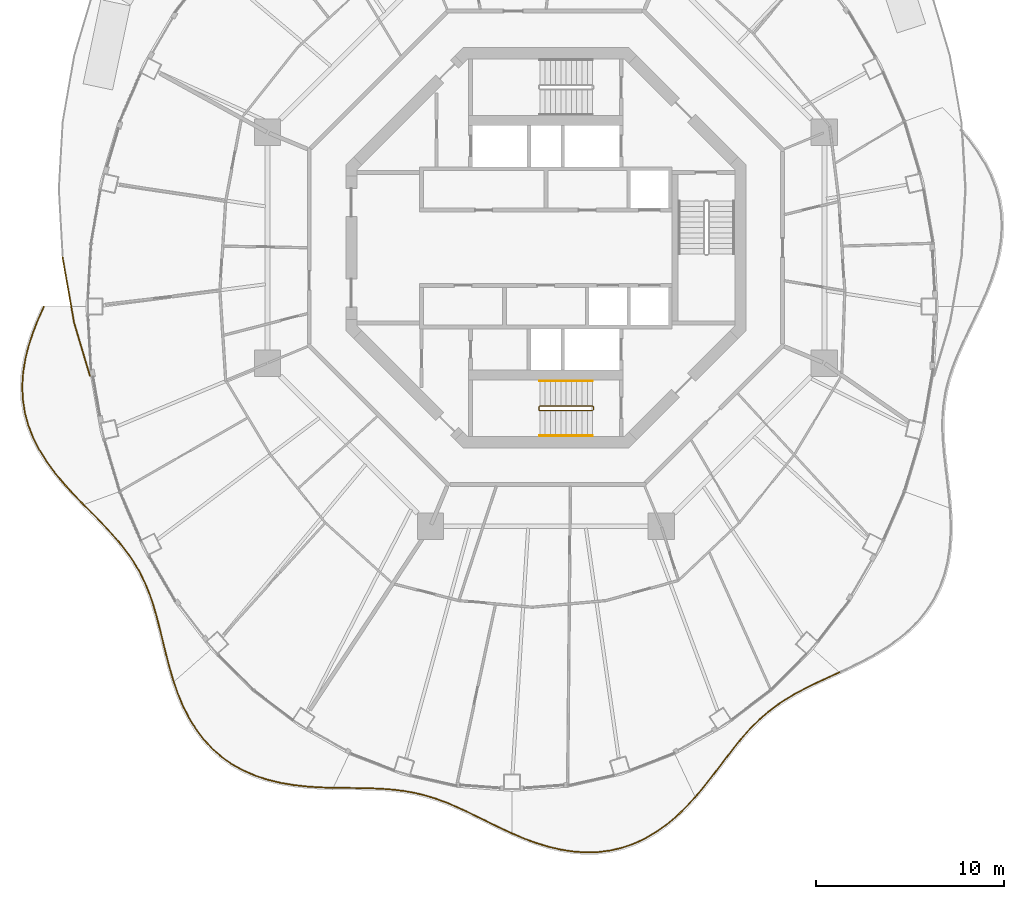
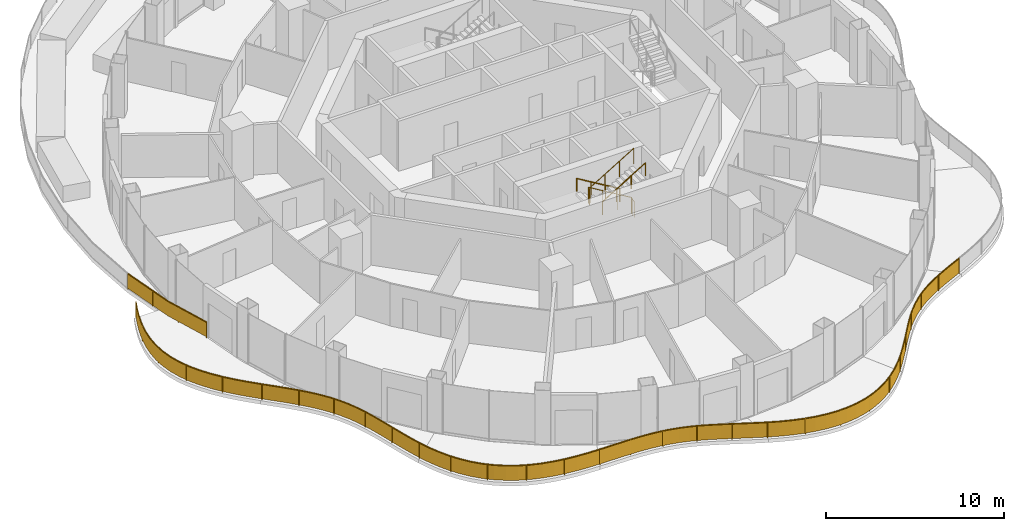
# One storey, part 15 of 17: 10 railings.
"""IFC4 building model written with IfcOpenShell, lengths in metres."""

from ifc_helpers import new_model, si_unit, direction, frame, origin, origin_2d, place, context, subcontext, project, spatial, polyline, rectangle, circle, outline, extrude, material, type_object, element, save


model = new_model("IFC4")

# Units and contexts
model_context = context("Model", 3, precision=1e-05, world=origin(), true_north=direction((0.0, 1.0)))
body_context = subcontext(model_context, "Body", "Model", "MODEL_VIEW")
ifc_project = project(units=[si_unit("LENGTHUNIT", "METRE"), si_unit("AREAUNIT", "SQUARE_METRE"), si_unit("VOLUMEUNIT", "CUBIC_METRE"), si_unit("PLANEANGLEUNIT", "RADIAN"), si_unit("MASSUNIT", "GRAM", prefix="KILO")], contexts=[model_context])

# Site, building, storey
site_placement = place(None, origin())
site = spatial("IfcSite", under=ifc_project, at=site_placement, CompositionType="ELEMENT")
building_placement = place(site_placement, origin())
building = spatial("IfcBuilding", under=site, at=building_placement, Name="Nagisa Residences", CompositionType="ELEMENT")
storey_placement = place(building_placement, frame((0.0, 0.0, 258.5)))
storey = spatial("IfcBuildingStorey", under=building, at=storey_placement, Name="L65", CompositionType="ELEMENT", Elevation=258.5)

# Railings
ifc_material_1 = material(Name="Stainless steel 316", Category="steel")
railing_type_1 = type_object("IfcRailingType", Name="BALCONY GUARD 1100", PredefinedType="BALUSTRADE", material=ifc_material_1)
railing_1_placement = place(storey_placement, frame((-26.64990234375, -3.11767578125, 0.0)))
element("IfcRailing", 1, at=railing_1_placement, inside=storey, type_object=railing_type_1, Name="guard:L65:bal08-0", PredefinedType="BALUSTRADE", context=body_context, shape_type="SweptSolid", body=[
    extrude(outline(polyline([(-0.279052734375, -0.68798828125), (0.02294921875, -0.01025390625), (-0.02294921875, 0.01025390625), (-0.325439453125, -0.66845703125), (-0.59912109375, -1.3671875), (-0.832275390625, -2.076904296875), (-1.011474609375, -2.7939453125), (-1.1279296875, -3.515380859375), (-1.174560546875, -4.22265625), (-1.14306640625, -4.9384765625), (-1.032470703125, -5.644287109375), (-0.84326171875, -6.3349609375), (-0.578857421875, -7.00732421875), (-0.2490234375, -7.644287109375), (0.14453125, -8.27099609375), (0.588134765625, -8.873046875), (1.069580078125, -9.451171875), (1.575439453125, -10.007568359375), (2.0908203125, -10.53857421875), (2.126953125, -10.50390625), (1.612060546875, -9.973388671875), (1.107177734375, -9.41845703125), (0.627685546875, -8.84228515625), (0.18603515625, -8.24267578125), (-0.20556640625, -7.619384765625), (-0.533447265625, -6.98681640625), (-0.7958984375, -6.3193359375), (-0.983642578125, -5.633544921875), (-1.09326171875, -4.93359375), (-1.124267578125, -4.22314453125), (-1.078125, -3.521240234375), (-0.962646484375, -2.80419921875), (-0.783935546875, -2.090576171875), (-0.55224609375, -1.38427734375), (-0.279052734375, -0.68798828125)])), frame((0.0, 0.0, 1.050048828125)), (0.0, 0.0, 1.0), 0.050048828125),
    extrude(outline(polyline([(-0.2958984375, -0.680908203125), (0.00634765625, -0.0029296875), (-0.00634765625, 0.0029296875), (-0.30859375, -0.675537109375), (-0.582275390625, -1.373291015625), (-0.81494140625, -2.081787109375), (-0.993896484375, -2.797607421875), (-1.110107421875, -3.517578125), (-1.156494140625, -4.222900390625), (-1.125244140625, -4.936767578125), (-1.014892578125, -5.640380859375), (-0.826171875, -6.329345703125), (-0.5625, -7.0), (-0.2333984375, -7.63525390625), (0.159423828125, -8.2607421875), (0.602294921875, -8.862060546875), (1.0830078125, -9.439453125), (1.588623046875, -9.995361328125), (2.103759765625, -10.526123046875), (2.114013671875, -10.516357421875), (1.598876953125, -9.985595703125), (1.09375, -9.43017578125), (0.613525390625, -8.853271484375), (0.171142578125, -8.2529296875), (-0.22119140625, -7.62841796875), (-0.5498046875, -6.994140625), (-0.81298828125, -6.324951171875), (-1.001220703125, -5.637451171875), (-1.111083984375, -4.935302734375), (-1.142333984375, -4.222900390625), (-1.095947265625, -3.51904296875), (-0.980224609375, -2.800537109375), (-0.80126953125, -2.085693359375), (-0.569091796875, -1.378173828125), (-0.2958984375, -0.680908203125)])), frame((0.0, 0.0, 0.06005859375)), (0.0, 0.0, 1.0), 0.989990234375),
    extrude(rectangle(XDim=0.0400390625, YDim=0.0400390625, at=origin_2d()), origin(), (0.0, 0.0, 1.0), 1.050048828125),
    extrude(rectangle(XDim=0.0400390625, YDim=0.0400390625, at=origin_2d()), frame((-0.83349609375, -2.185302734375, 0.0)), (0.0, 0.0, 1.0), 1.050048828125),
    extrude(rectangle(XDim=0.0400390625, YDim=0.0400390625, at=origin_2d()), frame((-1.137451171875, -4.4970703125, 0.0)), (0.0, 0.0, 1.0), 1.050048828125),
    extrude(rectangle(XDim=0.0400390625, YDim=0.0400390625, at=origin_2d()), frame((-0.644775390625, -6.771484375, 0.0)), (0.0, 0.0, 1.0), 1.050048828125),
    extrude(rectangle(XDim=0.0400390625, YDim=0.0400390625, at=origin_2d()), frame((0.548583984375, -8.777099609375, 0.0)), (0.0, 0.0, 1.0), 1.050048828125),
    extrude(rectangle(XDim=0.0400390625, YDim=0.0400390625, at=origin_2d()), frame((2.10888671875, -10.521240234375, 0.0)), (0.0, 0.0, 1.0), 1.050048828125),
])
railing_2_placement = place(storey_placement, frame((-24.541015625, -13.638916015625, 0.0)))
element("IfcRailing", 2, at=railing_2_placement, inside=storey, type_object=railing_type_1, Name="guard:L65:bal09-0", PredefinedType="BALUSTRADE", context=body_context, shape_type="SweptSolid", body=[
    extrude(outline(polyline([(0.515380859375, -0.483154296875), (0.017822265625, 0.017578125), (-0.017822265625, -0.017578125), (0.479736328125, -0.518310546875), (0.9677734375, -1.017333984375), (1.433837890625, -1.513427734375), (1.869873046875, -2.01220703125), (2.27001953125, -2.519287109375), (2.62353515625, -3.027099609375), (2.94287109375, -3.567138671875), (3.22216796875, -4.12939453125), (3.464599609375, -4.71728515625), (3.676025390625, -5.33154296875), (3.855224609375, -5.959228515625), (4.02783203125, -6.62353515625), (4.1943359375, -7.3076171875), (4.3662109375, -8.006103515625), (4.552978515625, -8.71240234375), (4.76025390625, -9.4111328125), (4.80810546875, -9.39697265625), (4.601318359375, -8.69873046875), (4.41455078125, -7.993896484375), (4.2431640625, -7.2958984375), (4.076171875, -6.611328125), (3.903564453125, -5.946044921875), (3.723876953125, -5.31640625), (3.511474609375, -4.69970703125), (3.267578125, -4.10888671875), (2.98681640625, -3.543212890625), (2.66552734375, -3.000244140625), (2.31005859375, -2.489501953125), (1.908447265625, -1.97998046875), (1.470947265625, -1.479736328125), (1.00390625, -0.982666015625), (0.515380859375, -0.483154296875)])), frame((0.0, 0.0, 1.050048828125)), (0.0, 0.0, 1.0), 0.050048828125),
    extrude(outline(polyline([(0.50244140625, -0.495849609375), (0.0048828125, 0.0048828125), (-0.0048828125, -0.0048828125), (0.49267578125, -0.505615234375), (0.980712890625, -1.0048828125), (1.447265625, -1.501220703125), (1.8837890625, -2.00048828125), (2.284423828125, -2.508544921875), (2.638671875, -3.017578125), (2.958740234375, -3.55859375), (3.238525390625, -4.1220703125), (3.4814453125, -4.7109375), (3.693359375, -5.326171875), (3.87255859375, -5.95458984375), (4.045166015625, -6.619140625), (4.2119140625, -7.303466796875), (4.383544921875, -8.001708984375), (4.5703125, -8.70751953125), (4.777587890625, -9.406005859375), (4.790771484375, -9.402099609375), (4.583984375, -8.70361328125), (4.397216796875, -7.998291015625), (4.2255859375, -7.300048828125), (4.058837890625, -6.61572265625), (3.88623046875, -5.95068359375), (3.70654296875, -5.32177734375), (3.49462890625, -4.7060546875), (3.251220703125, -4.1162109375), (2.970947265625, -3.5517578125), (2.650390625, -3.009765625), (2.295654296875, -2.500244140625), (1.89453125, -1.99169921875), (1.45751953125, -1.491943359375), (0.990966796875, -0.9951171875), (0.50244140625, -0.495849609375)])), frame((0.0, 0.0, 0.06005859375)), (0.0, 0.0, 1.0), 0.989990234375),
    extrude(rectangle(XDim=0.0400390625, YDim=0.0400390625, at=origin_2d()), origin(), (0.0, 0.0, 1.0), 1.050048828125),
    extrude(rectangle(XDim=0.0400390625, YDim=0.0400390625, at=origin_2d()), frame((1.49951171875, -1.550537109375, 0.0)), (0.0, 0.0, 1.0), 1.050048828125),
    extrude(rectangle(XDim=0.0400390625, YDim=0.0400390625, at=origin_2d()), frame((2.796142578125, -3.269775390625, 0.0)), (0.0, 0.0, 1.0), 1.050048828125),
    extrude(rectangle(XDim=0.0400390625, YDim=0.0400390625, at=origin_2d()), frame((3.669921875, -5.23681640625, 0.0)), (0.0, 0.0, 1.0), 1.050048828125),
    extrude(rectangle(XDim=0.0400390625, YDim=0.0400390625, at=origin_2d()), frame((4.2236328125, -7.3212890625, 0.0)), (0.0, 0.0, 1.0), 1.050048828125),
    extrude(rectangle(XDim=0.0400390625, YDim=0.0400390625, at=origin_2d()), frame((4.7841796875, -9.404052734375, 0.0)), (0.0, 0.0, 1.0), 1.050048828125),
])
railing_3_placement = place(storey_placement, frame((-19.7568359375, -23.04296875, 0.0)))
element("IfcRailing", 3, at=railing_3_placement, inside=storey, type_object=railing_type_1, Name="guard:L65:bal10-0", PredefinedType="BALUSTRADE", context=body_context, shape_type="SweptSolid", body=[
    extrude(outline(polyline([(0.251708984375, -0.6474609375), (0.023681640625, 0.00830078125), (-0.023681640625, -0.00830078125), (0.204833984375, -0.66552734375), (0.47705078125, -1.312255859375), (0.79296875, -1.93359375), (1.15576171875, -2.521728515625), (1.56884765625, -3.069091796875), (2.01953125, -3.55859375), (2.531494140625, -4.0068359375), (3.0888671875, -4.3984375), (3.687744140625, -4.732177734375), (4.322265625, -5.007568359375), (4.97412109375, -5.21875), (5.6572265625, -5.3837890625), (6.357421875, -5.503173828125), (7.064453125, -5.581787109375), (7.77197265625, -5.628662109375), (8.46630859375, -5.648681640625), (8.4677734375, -5.598876953125), (7.7744140625, -5.578857421875), (7.06884765625, -5.531982421875), (6.3642578125, -5.453369140625), (5.66748046875, -5.3349609375), (4.98779296875, -5.17041015625), (4.33984375, -4.960693359375), (3.709716796875, -4.687255859375), (3.11572265625, -4.35595703125), (2.562255859375, -3.96728515625), (2.0546875, -3.52294921875), (1.607421875, -3.036865234375), (1.197265625, -2.493408203125), (0.83642578125, -1.9091796875), (0.5224609375, -1.291259765625), (0.251708984375, -0.6474609375)])), frame((0.0, 0.0, 1.050048828125)), (0.0, 0.0, 1.0), 0.050048828125),
    extrude(outline(polyline([(0.23486328125, -0.654052734375), (0.006591796875, 0.002197265625), (-0.006591796875, -0.002197265625), (0.2216796875, -0.658935546875), (0.493408203125, -1.3046875), (0.80859375, -1.9248046875), (1.170654296875, -2.511474609375), (1.582763671875, -3.057373046875), (2.0322265625, -3.5458984375), (2.54248046875, -3.99267578125), (3.0986328125, -4.383056640625), (3.695556640625, -4.716064453125), (4.32861328125, -4.99072265625), (4.97900390625, -5.201416015625), (5.660888671875, -5.3662109375), (6.35986328125, -5.485107421875), (7.06591796875, -5.56396484375), (7.77294921875, -5.61083984375), (8.466796875, -5.630859375), (8.46728515625, -5.61669921875), (7.7734375, -5.5966796875), (7.0673828125, -5.5498046875), (6.36181640625, -5.471435546875), (5.663818359375, -5.3525390625), (4.98291015625, -5.187744140625), (4.33349609375, -4.9775390625), (3.701904296875, -4.703369140625), (3.10595703125, -4.371337890625), (2.55126953125, -3.9814453125), (2.0419921875, -3.53564453125), (1.593505859375, -3.048583984375), (1.182373046875, -2.503662109375), (0.82080078125, -1.91796875), (0.506103515625, -1.298828125), (0.23486328125, -0.654052734375)])), frame((0.0, 0.0, 0.06005859375)), (0.0, 0.0, 1.0), 0.989990234375),
    extrude(rectangle(XDim=0.0400390625, YDim=0.0400390625, at=origin_2d()), origin(), (0.0, 0.0, 1.0), 1.050048828125),
    extrude(rectangle(XDim=0.0400390625, YDim=0.0400390625, at=origin_2d()), frame((0.878662109375, -2.02490234375, 0.0)), (0.0, 0.0, 1.0), 1.050048828125),
    extrude(rectangle(XDim=0.0400390625, YDim=0.0400390625, at=origin_2d()), frame((2.261474609375, -3.7373046875, 0.0)), (0.0, 0.0, 1.0), 1.050048828125),
    extrude(rectangle(XDim=0.0400390625, YDim=0.0400390625, at=origin_2d()), frame((4.130615234375, -4.897216796875, 0.0)), (0.0, 0.0, 1.0), 1.050048828125),
    extrude(rectangle(XDim=0.0400390625, YDim=0.0400390625, at=origin_2d()), frame((6.262939453125, -5.461669921875, 0.0)), (0.0, 0.0, 1.0), 1.050048828125),
    extrude(rectangle(XDim=0.0400390625, YDim=0.0400390625, at=origin_2d()), frame((8.467041015625, -5.623779296875, 0.0)), (0.0, 0.0, 1.0), 1.050048828125),
])
railing_4_placement = place(storey_placement, frame((-11.289794921875, -28.666748046875, 0.0)))
element("IfcRailing", 4, at=railing_4_placement, inside=storey, type_object=railing_type_1, Name="guard:L65:bal11-0", PredefinedType="BALUSTRADE", context=body_context, shape_type="SweptSolid", body=[
    extrude(outline(polyline([(0.658447265625, 0.017578125), (0.000244140625, 0.02490234375), (-0.000244140625, -0.02490234375), (0.657958984375, -0.0322265625), (1.310546875, -0.039794921875), (1.947998046875, -0.052490234375), (2.568115234375, -0.07861328125), (3.171875, -0.125244140625), (3.7431640625, -0.19287109375), (4.318115234375, -0.29638671875), (4.88330078125, -0.43310546875), (5.44189453125, -0.60400390625), (5.998779296875, -0.807861328125), (6.540283203125, -1.03955078125), (7.10546875, -1.29931640625), (7.6806640625, -1.57763671875), (8.268310546875, -1.867431640625), (8.870361328125, -2.15966796875), (9.479248046875, -2.443603515625), (9.500244140625, -2.398193359375), (8.891845703125, -2.1142578125), (8.290283203125, -1.822509765625), (7.70263671875, -1.53271484375), (7.126953125, -1.25390625), (6.560791015625, -0.99365234375), (6.017333984375, -0.761474609375), (5.4580078125, -0.556640625), (4.896484375, -0.384765625), (4.328369140625, -0.24755859375), (3.75048828125, -0.1435546875), (3.1767578125, -0.075439453125), (2.571044921875, -0.02880859375), (1.949462890625, -0.002685546875), (1.3115234375, 0.010009765625), (0.658447265625, 0.017578125)])), frame((0.0, 0.0, 1.050048828125)), (0.0, 0.0, 1.0), 0.050048828125),
    extrude(outline(polyline([(0.658203125, -0.000244140625), (0.0, 0.007080078125), (0.0, -0.007080078125), (0.658203125, -0.014404296875), (1.31103515625, -0.02197265625), (1.948486328125, -0.03466796875), (2.569091796875, -0.060791015625), (3.173583984375, -0.107421875), (3.745849609375, -0.175048828125), (4.32177734375, -0.27880859375), (4.887939453125, -0.415771484375), (5.44775390625, -0.5869140625), (6.00537109375, -0.791259765625), (6.547607421875, -1.02294921875), (7.11328125, -1.282958984375), (7.6884765625, -1.5615234375), (8.276123046875, -1.851318359375), (8.878173828125, -2.143310546875), (9.48681640625, -2.42724609375), (9.49267578125, -2.41455078125), (8.884033203125, -2.130615234375), (8.282470703125, -1.838623046875), (7.69482421875, -1.548828125), (7.119140625, -1.270263671875), (6.553466796875, -1.01025390625), (6.0107421875, -0.778076171875), (5.4521484375, -0.57373046875), (4.891845703125, -0.402099609375), (4.32470703125, -0.26513671875), (3.747802734375, -0.161376953125), (3.175048828125, -0.09326171875), (2.570068359375, -0.046630859375), (1.948974609375, -0.0205078125), (1.31103515625, -0.0078125), (0.658203125, -0.000244140625)])), frame((0.0, 0.0, 0.06005859375)), (0.0, 0.0, 1.0), 0.989990234375),
    extrude(rectangle(XDim=0.0400390625, YDim=0.0400390625, at=origin_2d()), origin(), (0.0, 0.0, 1.0), 1.050048828125),
    extrude(rectangle(XDim=0.0400390625, YDim=0.0400390625, at=origin_2d()), frame((1.98974609375, -0.029296875, 0.0)), (0.0, 0.0, 1.0), 1.050048828125),
    extrude(rectangle(XDim=0.0400390625, YDim=0.0400390625, at=origin_2d()), frame((3.9697265625, -0.208251953125, 0.0)), (0.0, 0.0, 1.0), 1.050048828125),
    extrude(rectangle(XDim=0.0400390625, YDim=0.0400390625, at=origin_2d()), frame((5.8837890625, -0.7392578125, 0.0)), (0.0, 0.0, 1.0), 1.050048828125),
    extrude(rectangle(XDim=0.0400390625, YDim=0.0400390625, at=origin_2d()), frame((7.69677734375, -1.557861328125, 0.0)), (0.0, 0.0, 1.0), 1.050048828125),
    extrude(rectangle(XDim=0.0400390625, YDim=0.0400390625, at=origin_2d()), frame((9.48974609375, -2.4208984375, 0.0)), (0.0, 0.0, 1.0), 1.050048828125),
])
railing_5_placement = place(storey_placement, frame((-1.800048828125, -31.087646484375, 0.0)))
element("IfcRailing", 5, at=railing_5_placement, inside=storey, type_object=railing_type_1, Name="guard:L65:bal12-0", PredefinedType="BALUSTRADE", context=body_context, shape_type="SweptSolid", body=[
    extrude(outline(polyline([(0.63330078125, -0.243896484375), (0.009765625, 0.02294921875), (-0.009765625, -0.02294921875), (0.61474609375, -0.290283203125), (1.263427734375, -0.530029296875), (1.9248046875, -0.732421875), (2.595458984375, -0.888916015625), (3.269287109375, -0.99169921875), (3.930908203125, -1.036865234375), (4.604248046875, -1.0146484375), (5.267578125, -0.925537109375), (5.916748046875, -0.76806640625), (6.546630859375, -0.544189453125), (7.137451171875, -0.26123046875), (7.717041015625, 0.084716796875), (8.26904296875, 0.483154296875), (8.79150390625, 0.92626953125), (9.28515625, 1.4052734375), (9.742919921875, 1.90673828125), (9.705810546875, 1.9404296875), (9.2490234375, 1.43994140625), (8.7578125, 0.96337890625), (8.23828125, 0.522705078125), (7.689697265625, 0.126708984375), (7.113525390625, -0.21728515625), (6.527587890625, -0.497802734375), (5.902587890625, -0.72021484375), (5.25830078125, -0.876220703125), (4.599853515625, -0.96484375), (3.931884765625, -0.986572265625), (3.274658203125, -0.94189453125), (2.604736328125, -0.839599609375), (1.93798828125, -0.68408203125), (1.279541015625, -0.482666015625), (0.63330078125, -0.243896484375)])), frame((0.0, 0.0, 1.050048828125)), (0.0, 0.0, 1.0), 0.050048828125),
    extrude(outline(polyline([(0.626708984375, -0.260498046875), (0.002685546875, 0.00634765625), (-0.002685546875, -0.00634765625), (0.621337890625, -0.273681640625), (1.269287109375, -0.512939453125), (1.9296875, -0.715087890625), (2.598876953125, -0.87109375), (3.271240234375, -0.973876953125), (3.93115234375, -1.018798828125), (4.6025390625, -0.996826171875), (5.26416015625, -0.90771484375), (5.91162109375, -0.7509765625), (6.539794921875, -0.527587890625), (7.12890625, -0.245361328125), (7.707275390625, 0.099853515625), (8.258056640625, 0.497314453125), (8.779296875, 0.939697265625), (9.272216796875, 1.417724609375), (9.7294921875, 1.9189453125), (9.71923828125, 1.92822265625), (9.261962890625, 1.427490234375), (8.77001953125, 0.949951171875), (8.249267578125, 0.508544921875), (7.699462890625, 0.111572265625), (7.1220703125, -0.233154296875), (6.534423828125, -0.514404296875), (5.90771484375, -0.7373046875), (5.26171875, -0.89404296875), (4.6015625, -0.982666015625), (3.931640625, -1.004638671875), (3.272705078125, -0.959716796875), (2.601318359375, -0.857421875), (1.93310546875, -0.701416015625), (1.273681640625, -0.499755859375), (0.626708984375, -0.260498046875)])), frame((0.0, 0.0, 0.06005859375)), (0.0, 0.0, 1.0), 0.989990234375),
    extrude(rectangle(XDim=0.0400390625, YDim=0.0400390625, at=origin_2d()), origin(), (0.0, 0.0, 1.0), 1.050048828125),
    extrude(rectangle(XDim=0.0400390625, YDim=0.0400390625, at=origin_2d()), frame((2.031005859375, -0.7314453125, 0.0)), (0.0, 0.0, 1.0), 1.050048828125),
    extrude(rectangle(XDim=0.0400390625, YDim=0.0400390625, at=origin_2d()), frame((4.167724609375, -1.00390625, 0.0)), (0.0, 0.0, 1.0), 1.050048828125),
    extrude(rectangle(XDim=0.0400390625, YDim=0.0400390625, at=origin_2d()), frame((6.281494140625, -0.61181640625, 0.0)), (0.0, 0.0, 1.0), 1.050048828125),
    extrude(rectangle(XDim=0.0400390625, YDim=0.0400390625, at=origin_2d()), frame((8.161376953125, 0.436279296875, 0.0)), (0.0, 0.0, 1.0), 1.050048828125),
    extrude(rectangle(XDim=0.0400390625, YDim=0.0400390625, at=origin_2d()), frame((9.724365234375, 1.923583984375, 0.0)), (0.0, 0.0, 1.0), 1.050048828125),
])
railing_6_placement = place(storey_placement, frame((7.92431640625, -29.1640625, 0.0)))
element("IfcRailing", 6, at=railing_6_placement, inside=storey, type_object=railing_type_1, Name="guard:L65:bal13-0", PredefinedType="BALUSTRADE", context=body_context, shape_type="SweptSolid", body=[
    extrude(outline(polyline([(0.4296875, 0.55322265625), (-0.019287109375, 0.01611328125), (0.019287109375, -0.01611328125), (0.46875, 0.521484375), (0.90380859375, 1.0712890625), (1.322021484375, 1.618896484375), (1.729248046875, 2.1552734375), (2.1328125, 2.673095703125), (2.52490234375, 3.156494140625), (2.93994140625, 3.6201171875), (3.3701171875, 4.05126953125), (3.820556640625, 4.4501953125), (4.29541015625, 4.81787109375), (4.78515625, 5.146728515625), (5.31494140625, 5.462158203125), (5.8720703125, 5.75927734375), (6.453857421875, 6.044677734375), (7.056640625, 6.3251953125), (7.668701171875, 6.60302734375), (7.648193359375, 6.6484375), (7.03564453125, 6.37060546875), (6.432373046875, 6.089599609375), (5.84912109375, 5.8037109375), (5.29052734375, 5.505615234375), (4.75830078125, 5.189208984375), (4.26611328125, 4.8583984375), (3.788818359375, 4.48876953125), (3.3359375, 4.087890625), (2.9033203125, 3.654296875), (2.48681640625, 3.189208984375), (2.09375, 2.704345703125), (1.689697265625, 2.18603515625), (1.281982421875, 1.649169921875), (0.8642578125, 1.10205078125), (0.4296875, 0.55322265625)])), frame((0.0, 0.0, 1.050048828125)), (0.0, 0.0, 1.0), 0.050048828125),
    extrude(outline(polyline([(0.44384765625, 0.541748046875), (-0.00537109375, 0.00439453125), (0.00537109375, -0.00439453125), (0.45458984375, 0.532958984375), (0.8896484375, 1.082275390625), (1.3076171875, 1.6298828125), (1.715087890625, 2.16650390625), (2.11865234375, 2.684326171875), (2.51123046875, 3.168212890625), (2.9267578125, 3.63232421875), (3.35791015625, 4.064453125), (3.80908203125, 4.464111328125), (4.284912109375, 4.83251953125), (4.775390625, 5.162109375), (5.30615234375, 5.477783203125), (5.86376953125, 5.775146484375), (6.446044921875, 6.060791015625), (7.049072265625, 6.341552734375), (7.661376953125, 6.619384765625), (7.655517578125, 6.632080078125), (7.043212890625, 6.354248046875), (6.440185546875, 6.073486328125), (5.857421875, 5.787841796875), (5.29931640625, 5.489990234375), (4.76806640625, 5.173828125), (4.276611328125, 4.84375), (3.80029296875, 4.474853515625), (3.34814453125, 4.07470703125), (2.91650390625, 3.64208984375), (2.50048828125, 3.177490234375), (2.10791015625, 2.693115234375), (1.703857421875, 2.1748046875), (1.29638671875, 1.63818359375), (0.87841796875, 1.091064453125), (0.44384765625, 0.541748046875)])), frame((0.0, 0.0, 0.06005859375)), (0.0, 0.0, 1.0), 0.989990234375),
    extrude(rectangle(XDim=0.0400390625, YDim=0.0400390625, at=origin_2d()), origin(), (0.0, 0.0, 1.0), 1.050048828125),
    extrude(rectangle(XDim=0.0400390625, YDim=0.0400390625, at=origin_2d()), frame((1.285400390625, 1.6123046875, 0.0)), (0.0, 0.0, 1.0), 1.050048828125),
    extrude(rectangle(XDim=0.0400390625, YDim=0.0400390625, at=origin_2d()), frame((2.559814453125, 3.233154296875, 0.0)), (0.0, 0.0, 1.0), 1.050048828125),
    extrude(rectangle(XDim=0.0400390625, YDim=0.0400390625, at=origin_2d()), frame((4.04638671875, 4.65673828125, 0.0)), (0.0, 0.0, 1.0), 1.050048828125),
    extrude(rectangle(XDim=0.0400390625, YDim=0.0400390625, at=origin_2d()), frame((5.793701171875, 5.745849609375, 0.0)), (0.0, 0.0, 1.0), 1.050048828125),
    extrude(rectangle(XDim=0.0400390625, YDim=0.0400390625, at=origin_2d()), frame((7.658447265625, 6.625732421875, 0.0)), (0.0, 0.0, 1.0), 1.050048828125),
])
ifc_material_2 = material(Name="Stainless steel 316", Category="steel")
railing_type_2 = type_object("IfcRailingType", Name="ROOF GUARD 1100", PredefinedType="GUARDRAIL", material=ifc_material_2)
railing_7_placement = place(storey_placement, frame((-25.6572265625, -0.496826171875, 0.0)))
element("IfcRailing", 7, at=railing_7_placement, inside=storey, type_object=railing_type_2, Name="guard:L65:garden05", PredefinedType="GUARDRAIL", context=body_context, shape_type="SweptSolid", body=[
    extrude(outline(polyline([(0.6318359375, -3.46875), (0.024658203125, 0.00439453125), (-0.024658203125, -0.00439453125), (0.5830078125, -3.48046875), (1.428955078125, -6.316162109375), (1.476806640625, -6.302001953125), (0.6318359375, -3.46875)])), frame((0.0, 0.0, 1.050048828125)), (0.0, 0.0, 1.0), 0.050048828125),
    extrude(outline(polyline([(0.6142578125, -3.472900390625), (0.0068359375, 0.001220703125), (-0.0068359375, -0.001220703125), (0.6005859375, -3.476318359375), (1.4462890625, -6.31103515625), (1.45947265625, -6.30712890625), (0.6142578125, -3.472900390625)])), frame((0.0, 0.0, 0.06005859375)), (0.0, 0.0, 1.0), 0.989990234375),
    extrude(rectangle(XDim=0.0400390625, YDim=0.0400390625, at=origin_2d()), origin(), (0.0, 0.0, 1.0), 1.050048828125),
    extrude(rectangle(XDim=0.0400390625, YDim=0.0400390625, at=origin_2d()), frame((0.372314453125, -2.12939453125, 0.0)), (0.0, 0.0, 1.0), 1.050048828125),
    extrude(rectangle(XDim=0.0400390625, YDim=0.0400390625, at=origin_2d()), frame((0.8349609375, -4.237548828125, 0.0)), (0.0, 0.0, 1.0), 1.050048828125),
    extrude(rectangle(XDim=0.0400390625, YDim=0.0400390625, at=origin_2d()), frame((1.452880859375, -6.30908203125, 0.0)), (0.0, 0.0, 1.0), 1.050048828125),
])
ifc_material_3 = material(Name="Stainless steel", Category="steel")
railing_type_3 = type_object("IfcRailingType", Name="Stair guard 1100", PredefinedType="GUARDRAIL", material=ifc_material_3)
railing_8_placement = place(storey_placement, frame((2.52490234375, -8.599609375, 0.0)))
element("IfcRailing", 8, at=railing_8_placement, inside=storey, type_object=railing_type_3, Name="L65 ST-S stair guard 1", PredefinedType="GUARDRAIL", context=body_context, shape_type="SweptSolid", body=[
    extrude(circle(Radius=0.02392578125, at=origin_2d()), frame((0.0, 0.0, 1.076171875), z_axis=(0.0, 1.0, 0.0), x_axis=(-1.0, 0.0, 0.0)), (0.0, 0.0, 1.0), 0.14990234375),
    extrude(circle(Radius=0.02392578125, at=origin_2d()), frame((0.0, 0.14990234375, 1.076171875), z_axis=(-0.273006030465, 0.27434429532, 0.922064485248), x_axis=(-0.708833529934, -0.705375805398, 0.0)), (0.0, 0.0, 1.0), 0.182373046875),
    extrude(circle(Radius=0.02392578125, at=origin_2d()), frame((-0.0498046875, 0.199951171875, 1.244140625), z_axis=(-0.857242210791, 0.0, 0.514913383045), x_axis=(0.0, -1.0, 0.0)), (0.0, 0.0, 1.0), 3.266357421875),
    extrude(circle(Radius=0.02392578125, at=origin_2d()), frame((-2.849853515625, 0.199951171875, 2.92626953125), z_axis=(-0.707106781187, -0.707106781187, 0.0), x_axis=(0.707106781187, -0.707106781187, 0.0)), (0.0, 0.0, 1.0), 0.07080078125),
    extrude(circle(Radius=0.02392578125, at=origin_2d()), frame((-2.89990234375, 0.14990234375, 2.92626953125), z_axis=(0.0, -1.0, 0.0), x_axis=(1.0, 0.0, 0.0)), (0.0, 0.0, 1.0), 0.14990234375),
    extrude(circle(Radius=0.02392578125, at=origin_2d()), frame((-2.89990234375, 0.0, 2.92626953125), z_axis=(0.274582412415, -0.274582412415, 0.921525364591), x_axis=(0.707106781187, 0.707106781187, 0.0)), (0.0, 0.0, 1.0), 0.182373046875),
    extrude(circle(Radius=0.02392578125, at=origin_2d()), frame((-2.849853515625, -0.050048828125, 3.09423828125), z_axis=(0.857242210791, 0.0, 0.514913383045), x_axis=(0.0, 1.0, 0.0)), (0.0, 0.0, 1.0), 3.266357421875),
    extrude(circle(Radius=0.02099609375, at=origin_2d()), origin(), (0.0, 0.0, 1.0), 1.052001953125),
    extrude(circle(Radius=0.02099609375, at=origin_2d()), frame((0.0, 0.14990234375, 0.0)), (0.0, 0.0, 1.0), 1.052001953125),
    extrude(circle(Radius=0.02099609375, at=origin_2d()), frame((-0.0498046875, 0.199951171875, 0.168212890625)), (0.0, 0.0, 1.0), 1.052001953125),
    extrude(circle(Radius=0.02099609375, at=origin_2d()), frame((-0.983154296875, 0.199951171875, 0.728759765625)), (0.0, 0.0, 1.0), 1.052001953125),
    extrude(circle(Radius=0.02099609375, at=origin_2d()), frame((-1.91650390625, 0.199951171875, 1.28955078125)), (0.0, 0.0, 1.0), 1.052001953125),
    extrude(circle(Radius=0.02099609375, at=origin_2d()), frame((-2.849853515625, 0.199951171875, 1.85009765625)), (0.0, 0.0, 1.0), 1.052001953125),
    extrude(circle(Radius=0.02099609375, at=origin_2d()), frame((-2.89990234375, 0.14990234375, 1.85009765625)), (0.0, 0.0, 1.0), 1.052001953125),
    extrude(circle(Radius=0.02099609375, at=origin_2d()), frame((-2.89990234375, 0.0, 1.85009765625)), (0.0, 0.0, 1.0), 1.052001953125),
    extrude(circle(Radius=0.02099609375, at=origin_2d()), frame((-2.849853515625, -0.050048828125, 2.01806640625)), (0.0, 0.0, 1.0), 1.052001953125),
    extrude(circle(Radius=0.02099609375, at=origin_2d()), frame((-1.91650390625, -0.050048828125, 2.57861328125)), (0.0, 0.0, 1.0), 1.052001953125),
    extrude(circle(Radius=0.02099609375, at=origin_2d()), frame((-0.983154296875, -0.050048828125, 3.139404296875)), (0.0, 0.0, 1.0), 1.052001953125),
    extrude(circle(Radius=0.02099609375, at=origin_2d()), frame((-0.0498046875, -0.050048828125, 3.699951171875)), (0.0, 0.0, 1.0), 1.052001953125),
])
ifc_material_4 = material(Name="Stainless steel", Category="steel")
railing_type_4 = type_object("IfcRailingType", Name="Stair handrail 900", PredefinedType="HANDRAIL", material=ifc_material_4)
railing_9_placement = place(storey_placement, frame((2.47509765625, -7.07470703125, 0.168212890625)))
element("IfcRailing", 9, at=railing_9_placement, inside=storey, type_object=railing_type_4, Name="L65 ST-S stair handrail 1", PredefinedType="HANDRAIL", context=body_context, shape_type="SweptSolid", body=[
    extrude(circle(Radius=0.02392578125, at=origin_2d()), frame((0.0, 0.0, 0.8759765625), z_axis=(-0.857242210791, 0.0, 0.514913383045), x_axis=(0.0, -1.0, 0.0)), (0.0, 0.0, 1.0), 3.266357421875),
    extrude(circle(Radius=0.02099609375, at=origin_2d()), origin(), (0.0, 0.0, 1.0), 0.851806640625),
    extrude(circle(Radius=0.02099609375, at=origin_2d()), frame((-0.933349609375, 0.0, 0.560546875)), (0.0, 0.0, 1.0), 0.851806640625),
    extrude(circle(Radius=0.02099609375, at=origin_2d()), frame((-1.86669921875, 0.0, 1.121337890625)), (0.0, 0.0, 1.0), 0.851806640625),
    extrude(circle(Radius=0.02099609375, at=origin_2d()), frame((-2.800048828125, 0.0, 1.681884765625)), (0.0, 0.0, 1.0), 0.851806640625),
])
railing_10_placement = place(storey_placement, frame((-0.324951171875, -9.974609375, 2.01806640625)))
element("IfcRailing", 10, at=railing_10_placement, inside=storey, type_object=railing_type_4, Name="L65 ST-S stair handrail 2", PredefinedType="HANDRAIL", context=body_context, shape_type="SweptSolid", body=[
    extrude(circle(Radius=0.02392578125, at=origin_2d()), frame((0.0, 0.0, 0.8759765625), z_axis=(0.857242210791, 0.0, 0.514913383045), x_axis=(0.0, 1.0, 0.0)), (0.0, 0.0, 1.0), 3.266357421875),
    extrude(circle(Radius=0.02099609375, at=origin_2d()), origin(), (0.0, 0.0, 1.0), 0.851806640625),
    extrude(circle(Radius=0.02099609375, at=origin_2d()), frame((0.933349609375, 0.0, 0.560546875)), (0.0, 0.0, 1.0), 0.851806640625),
    extrude(circle(Radius=0.02099609375, at=origin_2d()), frame((1.86669921875, 0.0, 1.121337890625)), (0.0, 0.0, 1.0), 0.851806640625),
    extrude(circle(Radius=0.02099609375, at=origin_2d()), frame((2.800048828125, 0.0, 1.681884765625)), (0.0, 0.0, 1.0), 0.851806640625),
])

save(model, "model.ifc")
